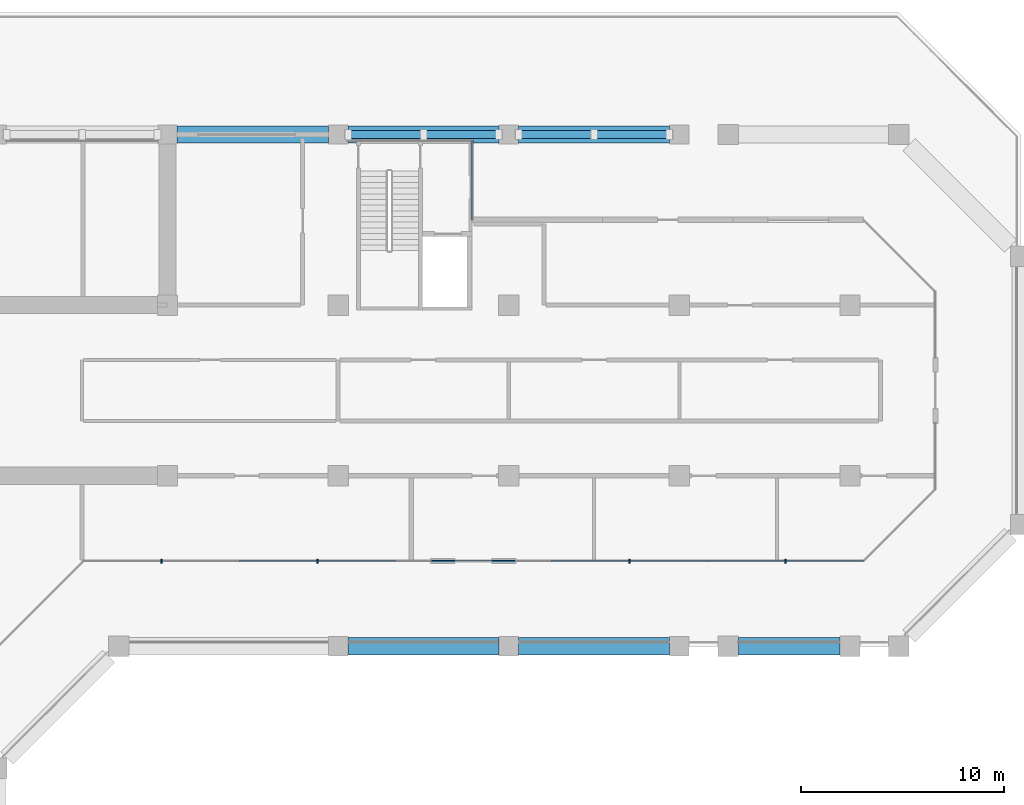
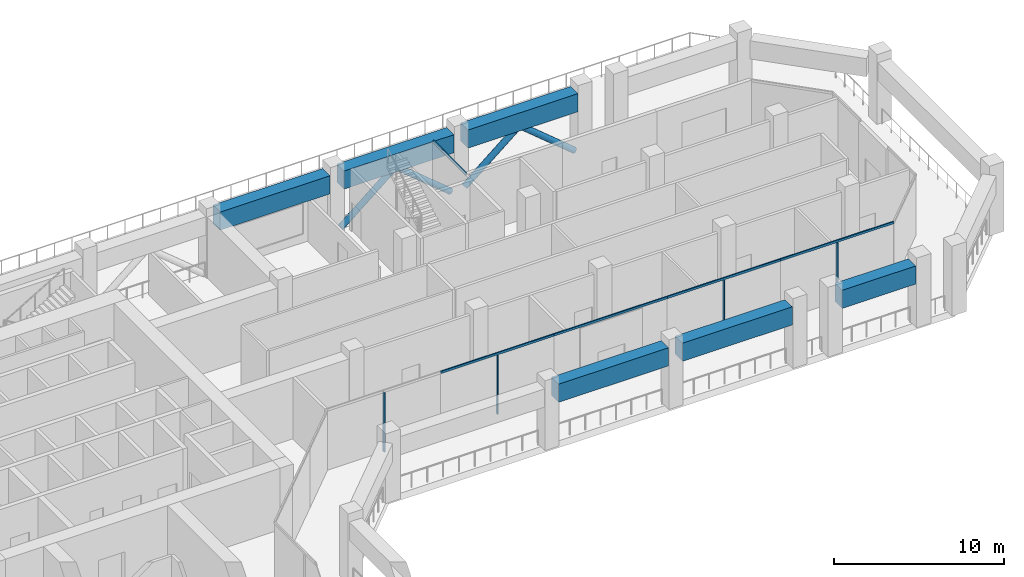
# One storey, part 4 of 19: 13 members, 6 beams, 2 elements without a shape of their own.
"""IFC4 building model written with IfcOpenShell, lengths in metres."""

from ifc_helpers import new_model, si_unit, direction, frame, origin, origin_2d, place, context, subcontext, project, spatial, rectangle, hollow_circle, extrude, material, layer, layer_set, material_profile, profile_set, type_object, element, aggregate, save


model = new_model("IFC4")

# Units and contexts
model_context = context("Model", 3, precision=1e-05, world=origin(), true_north=direction((0.0, 1.0)))
body_context = subcontext(model_context, "Body", "Model", "MODEL_VIEW")
ifc_project = project(units=[si_unit("LENGTHUNIT", "METRE"), si_unit("AREAUNIT", "SQUARE_METRE"), si_unit("VOLUMEUNIT", "CUBIC_METRE"), si_unit("PLANEANGLEUNIT", "RADIAN"), si_unit("MASSUNIT", "GRAM", prefix="KILO")], contexts=[model_context])

# Site, building, storey
site_placement = place(None, origin())
site = spatial("IfcSite", under=ifc_project, at=site_placement, CompositionType="ELEMENT")
building_placement = place(site_placement, origin())
building = spatial("IfcBuilding", under=site, at=building_placement, Name="Kawkab Arch Medical Tower", CompositionType="ELEMENT")
storey_placement = place(building_placement, frame((0.0, 0.0, 153.39990234375)))
storey = spatial("IfcBuildingStorey", under=building, at=storey_placement, Name="L35", CompositionType="ELEMENT", Elevation=153.39990234375)

# Members
ifc_material_1 = material(Name="Steel S355", Category="steel")
ifc_material_profile_1 = material_profile(ifc_material_1, hollow_circle(Radius=0.203125, WallThickness=0.02001953125, at=origin_2d()), Name="CHS 406.4x20")
ifc_profile_set_1 = profile_set([ifc_material_profile_1], Name="Steel S355")
member_type_1 = type_object("IfcMemberType", Name="CHS 406.4x20 belt truss brace S355", PredefinedType="BRACE", material=ifc_profile_set_1)
for number, where, z_axis, x_axis, name in (
    (1, (42.490478515625, 0.0, 0.10498046875), (0.769737883363, 0.0, 0.638360079357), (0.0, 1.0, 0.0), "Belt truss brace L35-N02A"),
    (2, (49.90966796875, 0.0, 0.10498046875), (-0.769737883363, 0.0, 0.638360079357), (0.0, -1.0, 0.0), "Belt truss brace L35-N02B"),
    (3, (50.890380859375, 0.0, 0.10498046875), (0.769737883363, 0.0, 0.638360079357), (0.0, 1.0, 0.0), "Belt truss brace L35-N03A"),
    (4, (58.3095703125, 0.0, 0.10498046875), (-0.769737883363, 0.0, 0.638360079357), (0.0, -1.0, 0.0), "Belt truss brace L35-N03B"),
):
    element("IfcMember", number, at=place(storey_placement, frame(where, z_axis=z_axis, x_axis=x_axis)), inside=storey, type_object=member_type_1, Name=name, PredefinedType="BRACE", context=body_context, shape_type="SweptSolid", body=[
        extrude(hollow_circle(Radius=0.203125, WallThickness=0.02001953125, at=origin_2d()), origin(), (0.0, 0.0, 1.0), 4.809326171875),
    ])

# Curtain wall, members
ifc_material_2 = material(Name="Bronze anodised aluminium curtain wall frame", Category="aluminium")
ifc_layer = layer(ifc_material_2, 0.159912109375)
ifc_layer_set = layer_set([ifc_layer], Name="Bronze anodised aluminium curtain wall frame")
curtain_wall_type = type_object("IfcCurtainWallType", Name="CW4 refuge floor fire-protected glazing", PredefinedType="NOTDEFINED", material=ifc_layer_set)
placement = place(storey_placement, origin())
curtain_wall_1 = element("IfcCurtainWall", 5, at=placement, inside=storey, type_object=curtain_wall_type, Name="CW4 Refuge floor fire-protected glazing R11", PredefinedType="NOTDEFINED")
ifc_material_3 = material(Name="Bronze anodised aluminium curtain wall frame", Category="aluminium")
ifc_material_profile_2 = material_profile(ifc_material_3, rectangle(XDim=0.199951171875, YDim=0.080078125, at=origin_2d()), Name="AL 80x200")
ifc_profile_set_2 = profile_set([ifc_material_profile_2], Name="Bronze anodised aluminium curtain wall frame")
member_type_2 = type_object("IfcMemberType", Name="CW4 mullion 80 x 200", PredefinedType="MULLION", material=ifc_profile_set_2)
member_1_placement = place(storey_placement, frame((33.300048828125, -21.0, 0.0), z_axis=(0.0, 0.0, 1.0), x_axis=(0.0, 1.0, 0.0)))
member_1 = element("IfcMember", 6, at=member_1_placement, type_object=member_type_2, Name="CW4 mullion 1.1", PredefinedType="MULLION", context=body_context, shape_type="SweptSolid", body=[
    extrude(rectangle(XDim=0.199951171875, YDim=0.080078125, at=origin_2d()), origin(), (0.0, 0.0, 1.0), 4.239990234375),
])
member_2_placement = place(storey_placement, frame((40.97998046875, -21.0, 0.0), z_axis=(0.0, 0.0, 1.0), x_axis=(0.0, 1.0, 0.0)))
member_2 = element("IfcMember", 7, at=member_2_placement, type_object=member_type_2, Name="CW4 mullion 2.1", PredefinedType="MULLION", context=body_context, shape_type="SweptSolid", body=[
    extrude(rectangle(XDim=0.199951171875, YDim=0.080078125, at=origin_2d()), origin(), (0.0, 0.0, 1.0), 4.239990234375),
])
member_3_placement = place(storey_placement, frame((56.340087890625, -21.0, 0.0), z_axis=(0.0, 0.0, 1.0), x_axis=(0.0, 1.0, 0.0)))
member_3 = element("IfcMember", 8, at=member_3_placement, type_object=member_type_2, Name="CW4 mullion 4.1", PredefinedType="MULLION", context=body_context, shape_type="SweptSolid", body=[
    extrude(rectangle(XDim=0.199951171875, YDim=0.080078125, at=origin_2d()), origin(), (0.0, 0.0, 1.0), 4.239990234375),
])
member_4_placement = place(storey_placement, frame((64.02001953125, -21.0, 0.0), z_axis=(0.0, 0.0, 1.0), x_axis=(0.0, 1.0, 0.0)))
member_4 = element("IfcMember", 9, at=member_4_placement, type_object=member_type_2, Name="CW4 mullion 5.1", PredefinedType="MULLION", context=body_context, shape_type="SweptSolid", body=[
    extrude(rectangle(XDim=0.199951171875, YDim=0.080078125, at=origin_2d()), origin(), (0.0, 0.0, 1.0), 4.239990234375),
])
ifc_material_4 = material(Name="Bronze anodised aluminium curtain wall frame", Category="aluminium")
ifc_material_profile_3 = material_profile(ifc_material_4, rectangle(XDim=0.080078125, YDim=0.159912109375, at=origin_2d()), Name="AL 80x160")
ifc_profile_set_3 = profile_set([ifc_material_profile_3], Name="Bronze anodised aluminium curtain wall frame")
member_type_3 = type_object("IfcMemberType", Name="CW4 transom 160 x 80", PredefinedType="USERDEFINED", material=ifc_profile_set_3)
member_5_placement = place(storey_placement, frame((37.139892578125, -21.0, 4.320068359375), z_axis=(1.0, 0.0, 0.0), x_axis=(0.0, 1.0, 0.0)))
member_5 = element("IfcMember", 10, at=member_5_placement, type_object=member_type_3, Name="CW4 transom 2", ObjectType="TRANSOM", PredefinedType="USERDEFINED", context=body_context, shape_type="SweptSolid", body=[
    extrude(rectangle(XDim=0.080078125, YDim=0.159912109375, at=origin_2d()), origin(), (0.0, 0.0, 1.0), 7.68017578125),
])
member_6_placement = place(storey_placement, frame((44.820068359375, -21.0, 4.320068359375), z_axis=(1.0, 0.0, 0.0), x_axis=(0.0, 1.0, 0.0)))
member_6 = element("IfcMember", 11, at=member_6_placement, type_object=member_type_3, Name="CW4 transom 3", ObjectType="TRANSOM", PredefinedType="USERDEFINED", context=body_context, shape_type="SweptSolid", body=[
    extrude(rectangle(XDim=0.080078125, YDim=0.159912109375, at=origin_2d()), origin(), (0.0, 0.0, 1.0), 7.679931640625),
])
member_7_placement = place(storey_placement, frame((52.5, -21.0, 4.320068359375), z_axis=(1.0, 0.0, 0.0), x_axis=(0.0, 1.0, 0.0)))
member_7 = element("IfcMember", 12, at=member_7_placement, type_object=member_type_3, Name="CW4 transom 4", ObjectType="TRANSOM", PredefinedType="USERDEFINED", context=body_context, shape_type="SweptSolid", body=[
    extrude(rectangle(XDim=0.080078125, YDim=0.159912109375, at=origin_2d()), origin(), (0.0, 0.0, 1.0), 7.679931640625),
])
member_8_placement = place(storey_placement, frame((60.179931640625, -21.0, 4.320068359375), z_axis=(1.0, 0.0, 0.0), x_axis=(0.0, 1.0, 0.0)))
member_8 = element("IfcMember", 13, at=member_8_placement, type_object=member_type_3, Name="CW4 transom 5", ObjectType="TRANSOM", PredefinedType="USERDEFINED", context=body_context, shape_type="SweptSolid", body=[
    extrude(rectangle(XDim=0.080078125, YDim=0.159912109375, at=origin_2d()), origin(), (0.0, 0.0, 1.0), 7.68017578125),
])
aggregate(curtain_wall_1, [member_1, member_5, member_2, member_6, member_7, member_3, member_8, member_4])

# Curtain wall, member
curtain_wall_2 = element("IfcCurtainWall", 14, at=placement, inside=storey, type_object=curtain_wall_type, Name="CW4 Refuge floor fire-protected glazing R16", PredefinedType="NOTDEFINED")
member_9_placement = place(storey_placement, frame((48.60107421875, -4.199951171875, 4.320068359375), z_axis=(0.0, 1.0, 0.0), x_axis=(-1.0, 0.0, 0.0)))
member_9 = element("IfcMember", 15, at=member_9_placement, type_object=member_type_3, Name="CW4 transom 1", ObjectType="TRANSOM", PredefinedType="USERDEFINED", context=body_context, shape_type="SweptSolid", body=[
    extrude(rectangle(XDim=0.080078125, YDim=0.159912109375, at=origin_2d()), origin(), (0.0, 0.0, 1.0), 3.89990234375),
])
aggregate(curtain_wall_2, [member_9])

# Beams
ifc_material_5 = material(Name="Concrete C50/60", Category="concrete")
ifc_material_profile_4 = material_profile(ifc_material_5, rectangle(XDim=0.85009765625, YDim=1.300048828125, at=origin_2d()), Name="RC 850x1300")
ifc_profile_set_4 = profile_set([ifc_material_profile_4], Name="Concrete C50/60")
beam_type = type_object("IfcBeamType", Name="RC 850x1300 beam C50/60", PredefinedType="SPANDREL", material=ifc_profile_set_4)
for number, where, z_axis, x_axis, name in (
    (16, (34.074951171875, 0.0, 3.75), (1.0, 0.0, 0.0), (0.0, 1.0, 0.0), "Belt beam L35-05"),
    (17, (42.47509765625, 0.0, 3.75), (1.0, 0.0, 0.0), (0.0, 1.0, 0.0), "Belt beam L35-06"),
    (18, (50.875, 0.0, 3.75), (1.0, 0.0, 0.0), (0.0, 1.0, 0.0), "Belt beam L35-07"),
):
    element("IfcBeam", number, at=place(storey_placement, frame(where, z_axis=z_axis, x_axis=x_axis)), inside=storey, type_object=beam_type, Name=name, PredefinedType="SPANDREL", context=body_context, shape_type="SweptSolid", body=[
        extrude(rectangle(XDim=0.85009765625, YDim=1.300048828125, at=origin_2d()), origin(), (0.0, 0.0, 1.0), 7.449951171875),
    ])
beam_placement = place(storey_placement, frame((66.699951171875, -25.199951171875, 3.75), z_axis=(-1.0, 0.0, 0.0), x_axis=(0.0, -1.0, 0.0)))
element("IfcBeam", 19, at=beam_placement, inside=storey, type_object=beam_type, Name="Belt beam L35-14", PredefinedType="SPANDREL", context=body_context, shape_type="SweptSolid", body=[
    extrude(rectangle(XDim=0.85009765625, YDim=1.300048828125, at=origin_2d()), origin(), (0.0, 0.0, 1.0), 5.0),
])
for number, where, z_axis, x_axis, name in (
    (20, (58.324951171875, -25.199951171875, 3.75), (-1.0, 0.0, 0.0), (0.0, -1.0, 0.0), "Belt beam L35-16"),
    (21, (49.925048828125, -25.199951171875, 3.75), (-1.0, 0.0, 0.0), (0.0, -1.0, 0.0), "Belt beam L35-17"),
):
    element("IfcBeam", number, at=place(storey_placement, frame(where, z_axis=z_axis, x_axis=x_axis)), inside=storey, type_object=beam_type, Name=name, PredefinedType="SPANDREL", context=body_context, shape_type="SweptSolid", body=[
        extrude(rectangle(XDim=0.85009765625, YDim=1.300048828125, at=origin_2d()), origin(), (0.0, 0.0, 1.0), 7.449951171875),
    ])

save(model, "model.ifc")
